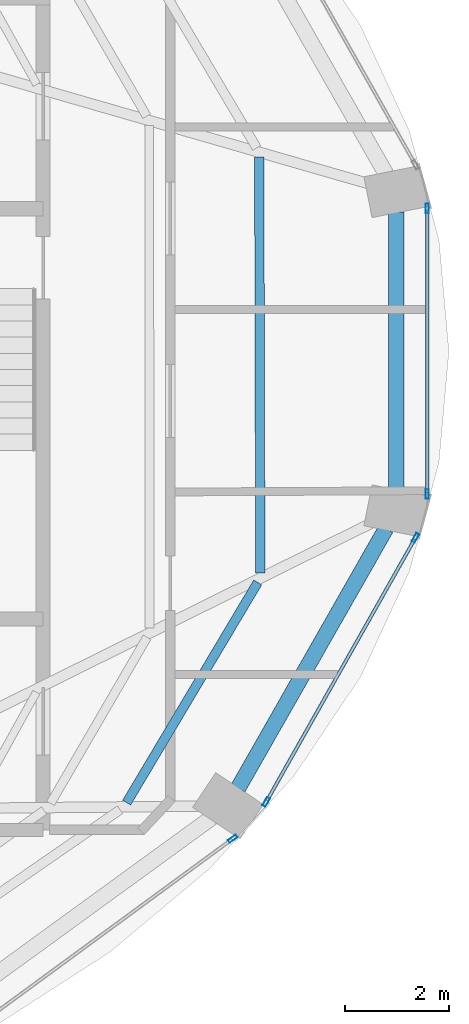
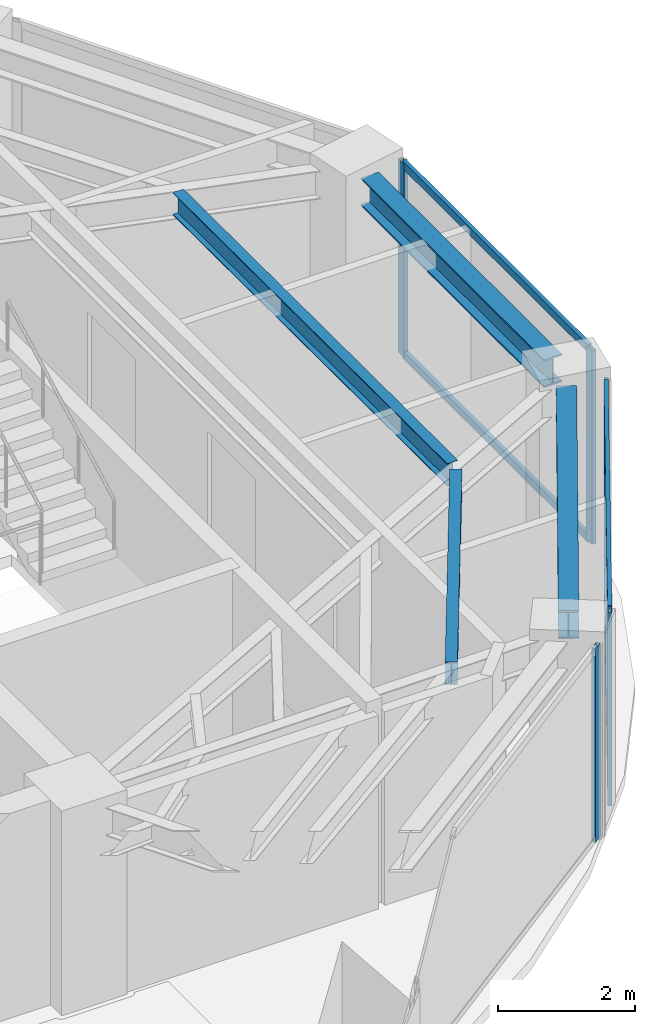
# One storey, part 5 of 13: 9 members, 4 beams, 3 elements without a shape of their own.
"""IFC4 building model written with IfcOpenShell, lengths in metres."""

from ifc_helpers import new_model, si_unit, direction, frame, origin, origin_2d, place, context, subcontext, project, spatial, hollow_rectangle, i_section, extrude, material, layer, layer_set, material_profile, profile_set, type_object, element, aggregate, save


model = new_model("IFC4")

# Units and contexts
model_context = context("Model", 3, precision=1e-05, world=origin(), true_north=direction((0.0, 1.0)))
body_context = subcontext(model_context, "Body", "Model", "MODEL_VIEW")
ifc_project = project(units=[si_unit("LENGTHUNIT", "METRE"), si_unit("AREAUNIT", "SQUARE_METRE"), si_unit("VOLUMEUNIT", "CUBIC_METRE"), si_unit("PLANEANGLEUNIT", "RADIAN"), si_unit("MASSUNIT", "GRAM", prefix="KILO")], contexts=[model_context])

# Site, building, storey
site_placement = place(None, origin())
site = spatial("IfcSite", under=ifc_project, at=site_placement, CompositionType="ELEMENT")
building_placement = place(site_placement, origin())
building = spatial("IfcBuilding", under=site, at=building_placement, Name="Lazwardi Medical Tower", CompositionType="ELEMENT")
storey_placement = place(building_placement, frame((0.0, 0.0, 276.912109375)))
storey = spatial("IfcBuildingStorey", under=building, at=storey_placement, Name="L72", CompositionType="ELEMENT", Elevation=276.912109375)

# Beams
ifc_material_1 = material(Name="Steel S355", Category="steel")
ifc_material_profile_1 = material_profile(ifc_material_1, i_section(OverallWidth=0.300048828125, OverallDepth=0.5, WebThickness=0.014404296875, FlangeThickness=0.028076171875, at=origin_2d()), Name="HEB 500")
ifc_profile_set_1 = profile_set([ifc_material_profile_1], Name="Steel S355")
beam_type_1 = type_object("IfcBeamType", Name="BM-RB-Z4", PredefinedType="BEAM", material=ifc_profile_set_1)
beam_1_placement = place(storey_placement, frame((54.15283203125, 20.81640625, 3.197998046875), z_axis=(0.495125273299, 0.868821594886, 0.0), x_axis=(-0.868821594886, 0.495125273299, 0.0)))
element("IfcBeam", 1, at=beam_1_placement, inside=storey, type_object=beam_type_1, Name="Ring beam RB-05 B03 L72", PredefinedType="BEAM", context=body_context, shape_type="SweptSolid", body=[
    extrude(i_section(OverallWidth=0.300048828125, OverallDepth=0.5, WebThickness=0.014404296875, FlangeThickness=0.028076171875, at=origin_2d()), origin(), (0.0, 0.0, 1.0), 5.734130859375),
])
beam_2_placement = place(storey_placement, frame((57.18505859375, 26.527099609375, 3.197998046875), z_axis=(0.0, 1.0, 0.0), x_axis=(-1.0, 0.0, 0.0)))
element("IfcBeam", 2, at=beam_2_placement, inside=storey, type_object=beam_type_1, Name="Ring beam RB-05 B04 L72", PredefinedType="BEAM", context=body_context, shape_type="SweptSolid", body=[
    extrude(i_section(OverallWidth=0.300048828125, OverallDepth=0.5, WebThickness=0.014404296875, FlangeThickness=0.028076171875, at=origin_2d()), origin(), (0.0, 0.0, 1.0), 5.345703125),
])
ifc_material_profile_2 = material_profile(ifc_material_1, i_section(OverallWidth=0.179931640625, OverallDepth=0.39990234375, WebThickness=0.008544921875, FlangeThickness=0.013427734375, at=origin_2d()), Name="IPE 400")
ifc_profile_set_2 = profile_set([ifc_material_profile_2], Name="Steel S355")
beam_type_2 = type_object("IfcBeamType", Name="BM-SJ-01", PredefinedType="JOIST", material=ifc_profile_set_2)
beam_3_placement = place(storey_placement, frame((52.015380859375, 20.54052734375, 3.247802734375), z_axis=(0.511696806688, 0.859166094551, 0.0), x_axis=(-0.859166094551, 0.511696806688, 0.0)))
element("IfcBeam", 3, at=beam_3_placement, inside=storey, type_object=beam_type_2, Name="Secondary joist SJ-01 R1 B03 L72", PredefinedType="JOIST", context=body_context, shape_type="SweptSolid", body=[
    extrude(i_section(OverallWidth=0.179931640625, OverallDepth=0.39990234375, WebThickness=0.008544921875, FlangeThickness=0.013427734375, at=origin_2d()), origin(), (0.0, 0.0, 1.0), 4.917724609375),
])
beam_4_placement = place(storey_placement, frame((54.580078125, 24.942138671875, 3.247802734375), z_axis=(-0.002538606287, 0.999996777734, 0.0), x_axis=(-0.999996777734, -0.002538606287, 0.0)))
element("IfcBeam", 4, at=beam_4_placement, inside=storey, type_object=beam_type_2, Name="Secondary joist SJ-01 R1 B04 L72", PredefinedType="JOIST", context=body_context, shape_type="SweptSolid", body=[
    extrude(i_section(OverallWidth=0.179931640625, OverallDepth=0.39990234375, WebThickness=0.008544921875, FlangeThickness=0.013427734375, at=origin_2d()), origin(), (0.0, 0.0, 1.0), 7.982177734375),
])

# Curtain wall, member
ifc_material_2 = material(Name="Anodised bronze aluminium and solar control glazing", Category="aluminium")
ifc_layer = layer(ifc_material_2, 0.18994140625)
ifc_layer_set = layer_set([ifc_layer], Name="Anodised bronze aluminium and solar control glazing")
curtain_wall_type = type_object("IfcCurtainWallType", Name="CW-SYS-04", PredefinedType="NOTDEFINED", material=ifc_layer_set)
curtain_wall_1_placement = place(storey_placement, origin())
curtain_wall_1 = element("IfcCurtainWall", 5, at=curtain_wall_1_placement, inside=storey, type_object=curtain_wall_type, Name="L72 Unitised bronze curtain wall CW-04", PredefinedType="NOTDEFINED")
ifc_material_3 = material(Name="Anodised bronze aluminium", Category="aluminium")
ifc_material_profile_3 = material_profile(ifc_material_3, hollow_rectangle(XDim=0.06494140625, YDim=0.179931640625, WallThickness=0.00390625, at=origin_2d()), Name="ALU-MULLION 180x65x4")
ifc_profile_set_3 = profile_set([ifc_material_profile_3], Name="Anodised bronze aluminium")
member_type_1 = type_object("IfcMemberType", Name="CW-MUL-03", PredefinedType="MULLION", material=ifc_profile_set_3)
member_1_placement = place(storey_placement, frame((54.052001953125, 19.848388671875, 0.0), z_axis=(0.0, 0.0, 1.0), x_axis=(-0.591268230971, 0.806474971121, 0.0)))
member_1 = element("IfcMember", 6, at=member_1_placement, type_object=member_type_1, Name="CW-04 mullion 2", PredefinedType="MULLION", context=body_context, shape_type="SweptSolid", body=[
    extrude(hollow_rectangle(XDim=0.06494140625, YDim=0.179931640625, WallThickness=0.00390625, at=origin_2d()), origin(), (0.0, 0.0, 1.0), 3.447998046875),
])
aggregate(curtain_wall_1, [member_1])

# Curtain wall, members
curtain_wall_2_placement = place(storey_placement, origin())
curtain_wall_2 = element("IfcCurtainWall", 7, at=curtain_wall_2_placement, inside=storey, type_object=curtain_wall_type, Name="L72 Unitised bronze curtain wall CW-04", PredefinedType="NOTDEFINED")
member_2_placement = place(storey_placement, frame((54.6943359375, 20.554443359375, 0.0), z_axis=(0.0, 0.0, 1.0), x_axis=(-0.870651436011, 0.491900474661, 0.0)))
member_2 = element("IfcMember", 8, at=member_2_placement, type_object=member_type_1, Name="CW-04 mullion 1", PredefinedType="MULLION", context=body_context, shape_type="SweptSolid", body=[
    extrude(hollow_rectangle(XDim=0.06494140625, YDim=0.179931640625, WallThickness=0.00390625, at=origin_2d()), origin(), (0.0, 0.0, 1.0), 3.447998046875),
])
member_3_placement = place(storey_placement, frame((57.557373046875, 25.621826171875, 0.0), z_axis=(0.0, 0.0, 1.0), x_axis=(-0.870651436011, 0.491900474661, 0.0)))
member_3 = element("IfcMember", 9, at=member_3_placement, type_object=member_type_1, Name="CW-04 mullion 2", PredefinedType="MULLION", context=body_context, shape_type="SweptSolid", body=[
    extrude(hollow_rectangle(XDim=0.06494140625, YDim=0.179931640625, WallThickness=0.00390625, at=origin_2d()), origin(), (0.0, 0.0, 1.0), 3.447998046875),
])

curtain_wall_3_placement = place(storey_placement, origin())
curtain_wall_3 = element("IfcCurtainWall", 10, at=curtain_wall_3_placement, inside=storey, type_object=curtain_wall_type, Name="L72 Unitised bronze curtain wall CW-04", PredefinedType="NOTDEFINED")
member_4_placement = place(storey_placement, frame((57.7841796875, 26.45947265625, 0.0), z_axis=(0.0, 0.0, 1.0), x_axis=(-1.0, 0.0, 0.0)))
member_4 = element("IfcMember", 11, at=member_4_placement, type_object=member_type_1, Name="CW-04 mullion 1", PredefinedType="MULLION", context=body_context, shape_type="SweptSolid", body=[
    extrude(hollow_rectangle(XDim=0.06494140625, YDim=0.179931640625, WallThickness=0.00390625, at=origin_2d()), origin(), (0.0, 0.0, 1.0), 3.447998046875),
])
member_5_placement = place(storey_placement, frame((57.7841796875, 31.9404296875, 0.0), z_axis=(0.0, 0.0, 1.0), x_axis=(-1.0, 0.0, 0.0)))
member_5 = element("IfcMember", 12, at=member_5_placement, type_object=member_type_1, Name="CW-04 mullion 2", PredefinedType="MULLION", context=body_context, shape_type="SweptSolid", body=[
    extrude(hollow_rectangle(XDim=0.06494140625, YDim=0.179931640625, WallThickness=0.00390625, at=origin_2d()), origin(), (0.0, 0.0, 1.0), 3.447998046875),
])

# Member
ifc_material_profile_4 = material_profile(ifc_material_3, hollow_rectangle(XDim=0.06494140625, YDim=0.139892578125, WallThickness=0.00341796875, at=origin_2d()), Name="ALU-TRANSOM 140x65x3.5")
ifc_profile_set_4 = profile_set([ifc_material_profile_4], Name="Anodised bronze aluminium")
member_type_2 = type_object("IfcMemberType", Name="CW-TRN-03", PredefinedType="USERDEFINED", material=ifc_profile_set_4)
member_6_placement = place(storey_placement, frame((54.71044921875, 20.582763671875, 0.032470703125), z_axis=(0.491879719484, 0.87066316194, 0.0), x_axis=(-0.87066316194, 0.491879719484, 0.0)))
member_6 = element("IfcMember", 13, at=member_6_placement, type_object=member_type_2, Name="CW-04 transom 1.1", ObjectType="TRANSOM", PredefinedType="USERDEFINED", context=body_context, shape_type="SweptSolid", body=[
    extrude(hollow_rectangle(XDim=0.06494140625, YDim=0.139892578125, WallThickness=0.00341796875, at=origin_2d()), origin(), (0.0, 0.0, 1.0), 5.755126953125),
])

member_7_placement = place(storey_placement, frame((54.71044921875, 20.582763671875, 3.415283203125), z_axis=(0.491879719484, 0.87066316194, 0.0), x_axis=(-0.87066316194, 0.491879719484, 0.0)))
member_7 = element("IfcMember", 14, at=member_7_placement, type_object=member_type_2, Name="CW-04 transom 1.2", ObjectType="TRANSOM", PredefinedType="USERDEFINED", context=body_context, shape_type="SweptSolid", body=[
    extrude(hollow_rectangle(XDim=0.06494140625, YDim=0.139892578125, WallThickness=0.00341796875, at=origin_2d()), origin(), (0.0, 0.0, 1.0), 5.755126953125),
])

aggregate(curtain_wall_2, [member_2, member_3, member_6, member_7])

member_8_placement = place(storey_placement, frame((57.7841796875, 26.491943359375, 0.032470703125), z_axis=(0.0, 1.0, 0.0), x_axis=(-1.0, 0.0, 0.0)))
member_8 = element("IfcMember", 15, at=member_8_placement, type_object=member_type_2, Name="CW-04 transom 1.1", ObjectType="TRANSOM", PredefinedType="USERDEFINED", context=body_context, shape_type="SweptSolid", body=[
    extrude(hollow_rectangle(XDim=0.06494140625, YDim=0.139892578125, WallThickness=0.00341796875, at=origin_2d()), origin(), (0.0, 0.0, 1.0), 5.416015625),
])

member_9_placement = place(storey_placement, frame((57.7841796875, 26.491943359375, 3.415283203125), z_axis=(0.0, 1.0, 0.0), x_axis=(-1.0, 0.0, 0.0)))
member_9 = element("IfcMember", 16, at=member_9_placement, type_object=member_type_2, Name="CW-04 transom 1.2", ObjectType="TRANSOM", PredefinedType="USERDEFINED", context=body_context, shape_type="SweptSolid", body=[
    extrude(hollow_rectangle(XDim=0.06494140625, YDim=0.139892578125, WallThickness=0.00341796875, at=origin_2d()), origin(), (0.0, 0.0, 1.0), 5.416015625),
])

aggregate(curtain_wall_3, [member_4, member_5, member_8, member_9])

save(model, "model.ifc")
